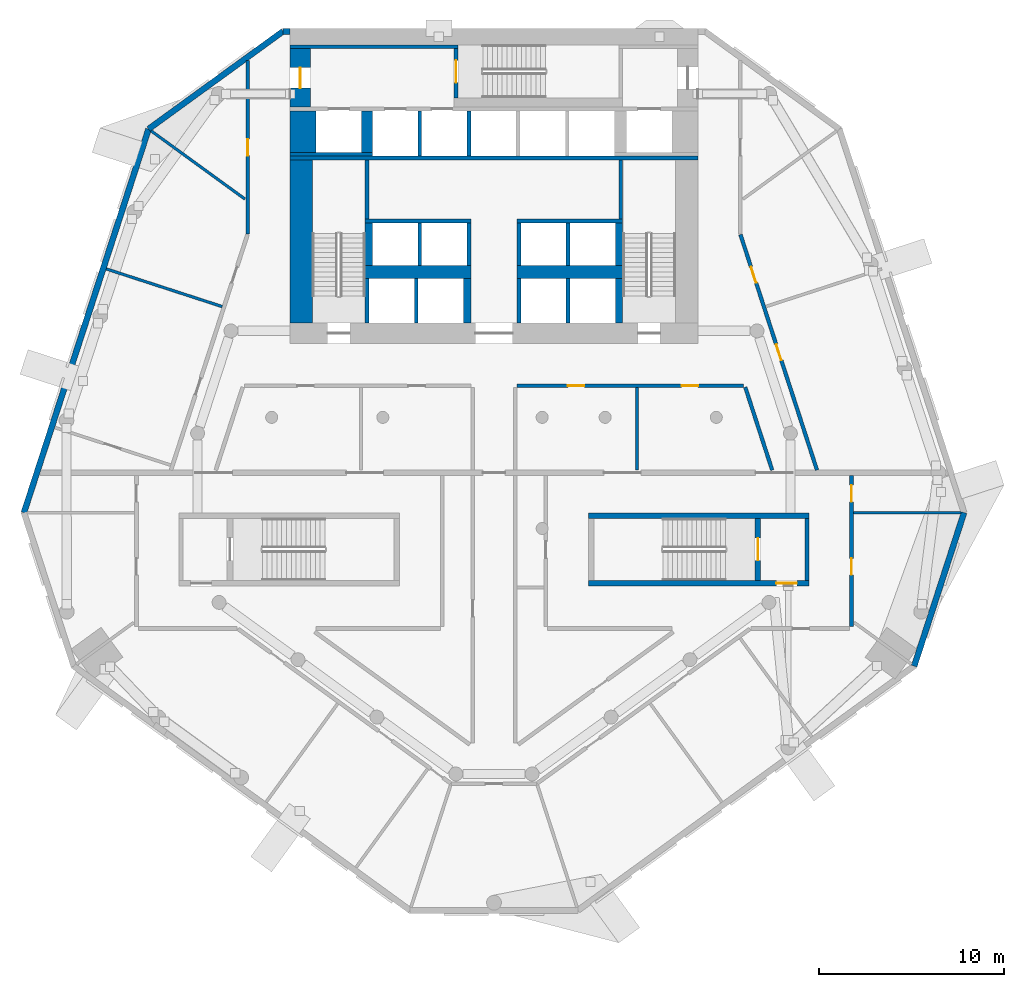
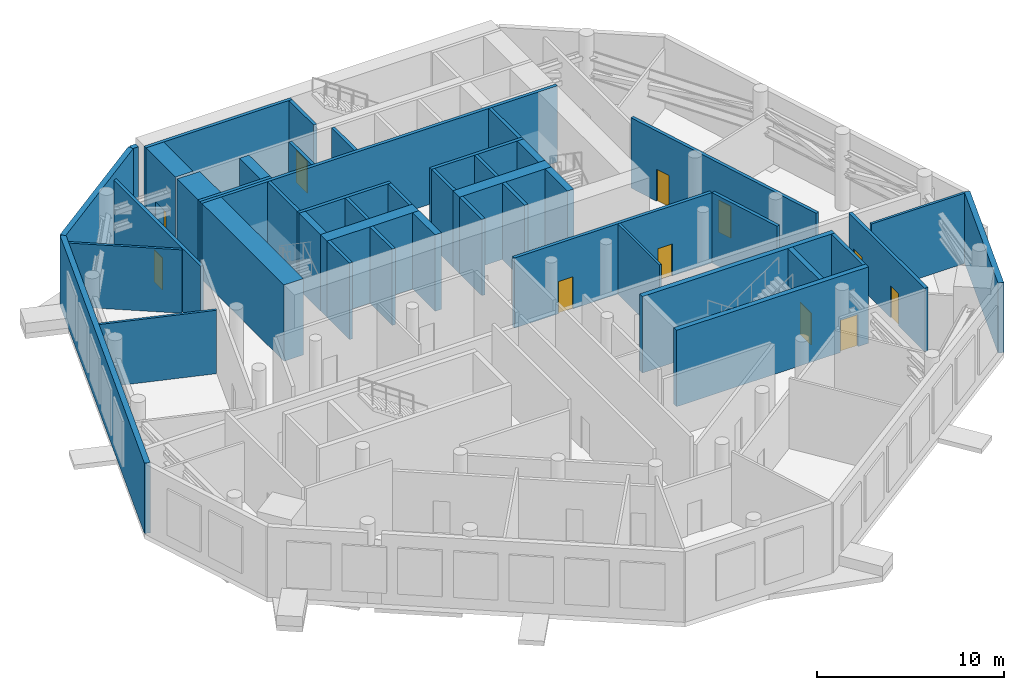
# One storey, part 8 of 15: 45 walls, 11 doors, 11 openings.
"""IFC4 building model written with IfcOpenShell, lengths in metres."""

from ifc_helpers import new_model, si_unit, direction, frame, frame_2d, origin, place, context, subcontext, project, spatial, rectangle, extrude, material, layer, layer_set, type_object, element, fill, save


model = new_model("IFC4")

# Units and contexts
model_context = context("Model", 3, precision=1e-05, world=origin(), true_north=direction((0.0, 1.0)))
body_context = subcontext(model_context, "Body", "Model", "MODEL_VIEW")
ifc_project = project(units=[si_unit("LENGTHUNIT", "METRE"), si_unit("AREAUNIT", "SQUARE_METRE"), si_unit("VOLUMEUNIT", "CUBIC_METRE"), si_unit("PLANEANGLEUNIT", "RADIAN"), si_unit("MASSUNIT", "GRAM", prefix="KILO")], contexts=[model_context])

# Site, building, storey
site_placement = place(None, origin())
site = spatial("IfcSite", under=ifc_project, at=site_placement, CompositionType="ELEMENT")
building_placement = place(site_placement, origin())
building = spatial("IfcBuilding", under=site, at=building_placement, Name="White Candle Pilgrim Tower", CompositionType="ELEMENT")
storey_placement = place(building_placement, frame((0.0, 0.0, 137.60009765625)))
storey = spatial("IfcBuildingStorey", under=building, at=storey_placement, Name="L31", CompositionType="ELEMENT", Elevation=137.60009765625)

# Wall, opening, door
ifc_material_1 = material(Name="Concrete C60/75", Category="concrete")
ifc_layer_1 = layer(ifc_material_1, 1.10009765625)
ifc_layer_set_1 = layer_set([ifc_layer_1], Name="Core wall 1100 mm Concrete C60/75")
wall_type_1 = type_object("IfcWallType", Name="Core wall 1100 mm Concrete C60/75", PredefinedType="SHEAR", material=ifc_layer_set_1)
wall_1_placement = place(storey_placement, frame((59.550048828125, 83.75, 0.0), z_axis=(0.0, 0.0, 1.0), x_axis=(0.0, 1.0, 0.0)))
wall_1 = element("IfcWall", 1, at=wall_1_placement, inside=storey, type_object=wall_type_1, Name="WL-L31-C44", PredefinedType="SHEAR", context=body_context, shape_type="SweptSolid", body=[
    extrude(rectangle(XDim=3.14990234375, YDim=1.10009765625, at=frame_2d((1.574951171875, 0.0))), origin(), (0.0, 0.0, 1.0), 5.0),
])
opening_1_placement = place(wall_1_placement, frame((1.02490234375, 0.0, 0.0)))
opening_1 = element("IfcOpeningElement", 2, at=opening_1_placement, cuts=wall_1, Name="Opening L31-005", PredefinedType="OPENING", context=body_context, shape_type="SweptSolid", body=[
    extrude(rectangle(XDim=1.10009765625, YDim=2.10009765625, at=frame_2d((0.550048828125, 1.050048828125))), frame((0.0, 0.56005859375, 0.0), z_axis=(0.0, -1.0, 0.0), x_axis=(1.0, 0.0, 0.0)), (0.0, 0.0, 1.0), 1.1201171875),
])
ifc_material_2 = material(Name="Steel door leaf", Category="steel")
door_type_1 = type_object("IfcDoorType", Name="Fire door 1100 x 2100 EI 60", OperationType="NOTDEFINED", PredefinedType="DOOR", material=ifc_material_2)
door_1_placement = place(opening_1_placement, origin())
door_1 = element("IfcDoor", 3, at=door_1_placement, inside=storey, type_object=door_type_1, Name="Door L31-005", OperationType="SINGLE_SWING_LEFT", OverallHeight=2.10009765625, OverallWidth=1.10009765625, PredefinedType="DOOR", context=body_context, shape_type="SweptSolid", body=[
    extrude(rectangle(XDim=1.10009765625, YDim=2.10009765625, at=frame_2d((0.550048828125, 1.050048828125))), frame((0.0, 0.02490234375, 0.0), z_axis=(0.0, -1.0, 0.0), x_axis=(1.0, 0.0, 0.0)), (0.0, 0.0, 1.0), 0.050048828125),
])
fill(opening_1, door_1)

# Walls
ifc_layer_2 = layer(ifc_material_1, 1.39990234375)
ifc_layer_set_2 = layer_set([ifc_layer_2], Name="Core wall 1400 mm Concrete C60/75")
wall_type_2 = type_object("IfcWallType", Name="Core wall 1400 mm Concrete C60/75", PredefinedType="SHEAR", material=ifc_layer_set_2)
wall_2_placement = place(storey_placement, frame((59.699951171875, 81.300048828125, 0.0), z_axis=(0.0, 0.0, 1.0), x_axis=(0.0, 1.0, 0.0)))
element("IfcWall", 4, at=wall_2_placement, inside=storey, type_object=wall_type_2, Name="WL-L31-C39", PredefinedType="SHEAR", context=body_context, shape_type="SweptSolid", body=[
    extrude(rectangle(XDim=2.25, YDim=1.39990234375, at=frame_2d((1.125, 0.0))), origin(), (0.0, 0.0, 1.0), 5.0),
])
ifc_layer_3 = layer(ifc_material_1, 0.199951171875)
ifc_layer_set_3 = layer_set([ifc_layer_3], Name="Core wall 200 mm Concrete C60/75")
wall_type_3 = type_object("IfcWallType", Name="Core wall 200 mm Concrete C60/75", PredefinedType="SHEAR", material=ifc_layer_set_3)
wall_3_placement = place(storey_placement, frame((86.89990234375, 58.199951171875, 0.0), z_axis=(0.0, 0.0, 1.0), x_axis=(0.0, 1.0, 0.0)))
element("IfcWall", 5, at=wall_3_placement, inside=storey, type_object=wall_type_3, Name="WL-L31-C08", PredefinedType="SHEAR", context=body_context, shape_type="SweptSolid", body=[
    extrude(rectangle(XDim=3.35009765625, YDim=0.199951171875, at=frame_2d((1.675048828125, 0.0))), origin(), (0.0, 0.0, 1.0), 5.0),
])
wall_4_placement = place(storey_placement, frame((59.0, 81.199951171875, 0.0), z_axis=(0.0, 0.0, 1.0), x_axis=(1.0, 0.0, 0.0)))
element("IfcWall", 6, at=wall_4_placement, inside=storey, type_object=wall_type_3, Name="WL-L31-C33", PredefinedType="SHEAR", context=body_context, shape_type="SweptSolid", body=[
    extrude(rectangle(XDim=4.449951171875, YDim=0.199951171875, at=frame_2d((2.22509765625, 0.0))), origin(), (0.0, 0.0, 1.0), 5.0),
])

# Wall, opening, door
ifc_material_3 = material(Name="Gypsum board on steel studs", Category="steel")
ifc_layer_4 = layer(ifc_material_3, 0.199951171875)
ifc_layer_set_4 = layer_set([ifc_layer_4], Name="Corridor wall 200 mm EI 45")
wall_type_4 = type_object("IfcWallType", Name="Corridor wall 200 mm EI 45", PredefinedType="PARTITIONING", material=ifc_layer_set_4)
wall_5_placement = place(storey_placement, frame((56.699951171875, 76.8994140625, 0.0), z_axis=(0.0, 0.0, 1.0), x_axis=(0.0, 1.0, 0.0)))
wall_5 = element("IfcWall", 7, at=wall_5_placement, inside=storey, type_object=wall_type_4, Name="WL-L31-P003", PredefinedType="PARTITIONING", context=body_context, shape_type="SweptSolid", body=[
    extrude(rectangle(XDim=9.3515625, YDim=0.199951171875, at=frame_2d((4.67578125, 0.0))), origin(), (0.0, 0.0, 1.0), 4.14990234375),
])
opening_2_placement = place(wall_5_placement, frame((4.225830078125, 0.0, 0.0)))
opening_2 = element("IfcOpeningElement", 8, at=opening_2_placement, cuts=wall_5, Name="Opening L31-123", PredefinedType="OPENING", context=body_context, shape_type="SweptSolid", body=[
    extrude(rectangle(XDim=0.89990234375, YDim=2.10009765625, at=frame_2d((0.449951171875, 1.050048828125))), frame((0.0, 0.10986328125, 0.0), z_axis=(0.0, -1.0, 0.0), x_axis=(1.0, 0.0, 0.0)), (0.0, 0.0, 1.0), 0.219970703125),
])
door_type_2 = type_object("IfcDoorType", Name="Fire door 900 x 2100 EI 30", OperationType="NOTDEFINED", PredefinedType="DOOR", material=ifc_material_2)
door_2_placement = place(opening_2_placement, origin())
door_2 = element("IfcDoor", 9, at=door_2_placement, inside=storey, type_object=door_type_2, Name="Door L31-123", OperationType="SINGLE_SWING_LEFT", OverallHeight=2.10009765625, OverallWidth=0.89990234375, PredefinedType="DOOR", context=body_context, shape_type="SweptSolid", body=[
    extrude(rectangle(XDim=0.89990234375, YDim=2.10009765625, at=frame_2d((0.449951171875, 1.050048828125))), frame((0.0, 0.02490234375, 0.0), z_axis=(0.0, -1.0, 0.0), x_axis=(1.0, 0.0, 0.0)), (0.0, 0.0, 1.0), 0.050048828125),
])
fill(opening_2, door_2)

# Wall, openings, doors
wall_6_placement = place(storey_placement, frame((83.304931640625, 76.868408203125, 0.0), z_axis=(0.0, 0.0, 1.0), x_axis=(0.309005574406, -0.951060226792, 0.0)))
wall_6 = element("IfcWall", 10, at=wall_6_placement, inside=storey, type_object=wall_type_4, Name="WL-L31-P005", PredefinedType="PARTITIONING", context=body_context, shape_type="SweptSolid", body=[
    extrude(rectangle(XDim=13.373046875, YDim=0.199951171875, at=frame_2d((6.6865234375, 0.0))), origin(), (0.0, 0.0, 1.0), 4.599853515625),
])
opening_3_placement = place(wall_6_placement, frame((1.8408203125, 0.0, 0.0)))
opening_3 = element("IfcOpeningElement", 11, at=opening_3_placement, cuts=wall_6, Name="Opening L31-125", PredefinedType="OPENING", context=body_context, shape_type="SweptSolid", body=[
    extrude(rectangle(XDim=0.89990234375, YDim=2.10009765625, at=frame_2d((0.449951171875, 1.050048828125))), frame((0.0, 0.10986328125, 0.0), z_axis=(0.0, -1.0, 0.0), x_axis=(1.0, 0.0, 0.0)), (0.0, 0.0, 1.0), 0.219970703125),
])
opening_4_placement = place(wall_6_placement, frame((6.236328125, 0.0, 0.0)))
opening_4 = element("IfcOpeningElement", 12, at=opening_4_placement, cuts=wall_6, Name="Opening L31-126", PredefinedType="OPENING", context=body_context, shape_type="SweptSolid", body=[
    extrude(rectangle(XDim=0.89990234375, YDim=2.10009765625, at=frame_2d((0.449951171875, 1.050048828125))), frame((0.0, 0.10986328125, 0.0), z_axis=(0.0, -1.0, 0.0), x_axis=(1.0, 0.0, 0.0)), (0.0, 0.0, 1.0), 0.219970703125),
])
door_3_placement = place(opening_3_placement, origin())
door_3 = element("IfcDoor", 13, at=door_3_placement, inside=storey, type_object=door_type_2, Name="Door L31-125", OperationType="SINGLE_SWING_LEFT", OverallHeight=2.10009765625, OverallWidth=0.89990234375, PredefinedType="DOOR", context=body_context, shape_type="SweptSolid", body=[
    extrude(rectangle(XDim=0.89990234375, YDim=2.10009765625, at=frame_2d((0.449951171875, 1.050048828125))), frame((0.0, 0.02490234375, 0.0), z_axis=(0.0, -1.0, 0.0), x_axis=(1.0, 0.0, 0.0)), (0.0, 0.0, 1.0), 0.050048828125),
])
fill(opening_3, door_3)
door_4_placement = place(opening_4_placement, origin())
door_4 = element("IfcDoor", 14, at=door_4_placement, inside=storey, type_object=door_type_2, Name="Door L31-126", OperationType="SINGLE_SWING_RIGHT", OverallHeight=2.10009765625, OverallWidth=0.89990234375, PredefinedType="DOOR", context=body_context, shape_type="SweptSolid", body=[
    extrude(rectangle(XDim=0.89990234375, YDim=2.10009765625, at=frame_2d((0.449951171875, 1.050048828125))), frame((0.0, 0.02490234375, 0.0), z_axis=(0.0, -1.0, 0.0), x_axis=(1.0, 0.0, 0.0)), (0.0, 0.0, 1.0), 0.050048828125),
])
fill(opening_4, door_4)

wall_7_placement = place(storey_placement, frame((89.300048828125, 63.85009765625, 0.0), z_axis=(0.0, 0.0, 1.0), x_axis=(0.0, -1.0, 0.0)))
wall_7 = element("IfcWall", 15, at=wall_7_placement, inside=storey, type_object=wall_type_4, Name="WL-L31-P006", PredefinedType="PARTITIONING", context=body_context, shape_type="SweptSolid", body=[
    extrude(rectangle(XDim=8.150146484375, YDim=0.199951171875, at=frame_2d((4.0751953125, 0.0))), origin(), (0.0, 0.0, 1.0), 4.14990234375),
])
opening_5_placement = place(wall_7_placement, frame((4.45703125, 0.0, 0.0)))
opening_5 = element("IfcOpeningElement", 16, at=opening_5_placement, cuts=wall_7, Name="Opening L31-109", PredefinedType="OPENING", context=body_context, shape_type="SweptSolid", body=[
    extrude(rectangle(XDim=0.89990234375, YDim=2.10009765625, at=frame_2d((0.449951171875, 1.050048828125))), frame((0.0, 0.10986328125, 0.0), z_axis=(0.0, -1.0, 0.0), x_axis=(1.0, 0.0, 0.0)), (0.0, 0.0, 1.0), 0.219970703125),
])
opening_6_placement = place(wall_7_placement, frame((0.509765625, 0.0, 0.0)))
opening_6 = element("IfcOpeningElement", 17, at=opening_6_placement, cuts=wall_7, Name="Opening L31-127", PredefinedType="OPENING", context=body_context, shape_type="SweptSolid", body=[
    extrude(rectangle(XDim=0.89990234375, YDim=2.10009765625, at=frame_2d((0.449951171875, 1.050048828125))), frame((0.0, 0.10986328125, 0.0), z_axis=(0.0, -1.0, 0.0), x_axis=(1.0, 0.0, 0.0)), (0.0, 0.0, 1.0), 0.219970703125),
])
door_5_placement = place(opening_5_placement, origin())
door_5 = element("IfcDoor", 18, at=door_5_placement, inside=storey, type_object=door_type_2, Name="Door L31-109", OperationType="SINGLE_SWING_LEFT", OverallHeight=2.10009765625, OverallWidth=0.89990234375, PredefinedType="DOOR", context=body_context, shape_type="SweptSolid", body=[
    extrude(rectangle(XDim=0.89990234375, YDim=2.10009765625, at=frame_2d((0.449951171875, 1.050048828125))), frame((0.0, 0.02490234375, 0.0), z_axis=(0.0, -1.0, 0.0), x_axis=(1.0, 0.0, 0.0)), (0.0, 0.0, 1.0), 0.050048828125),
])
fill(opening_5, door_5)
door_6_placement = place(opening_6_placement, origin())
door_6 = element("IfcDoor", 19, at=door_6_placement, inside=storey, type_object=door_type_2, Name="Door L31-127", OperationType="SINGLE_SWING_LEFT", OverallHeight=2.10009765625, OverallWidth=0.89990234375, PredefinedType="DOOR", context=body_context, shape_type="SweptSolid", body=[
    extrude(rectangle(XDim=0.89990234375, YDim=2.10009765625, at=frame_2d((0.449951171875, 1.050048828125))), frame((0.0, 0.02490234375, 0.0), z_axis=(0.0, -1.0, 0.0), x_axis=(1.0, 0.0, 0.0)), (0.0, 0.0, 1.0), 0.050048828125),
])
fill(opening_6, door_6)

# Wall
wall_8_placement = place(storey_placement, frame((85.01904296875, 64.14990234375, 0.0), z_axis=(0.0, 0.0, 1.0), x_axis=(-0.309036861841, 0.951050060735, 0.0)))
element("IfcWall", 20, at=wall_8_placement, inside=storey, type_object=wall_type_4, Name="WL-L31-P013", PredefinedType="PARTITIONING", context=body_context, shape_type="SweptSolid", body=[
    extrude(rectangle(XDim=4.711669921875, YDim=0.199951171875, at=frame_2d((2.35595703125, 0.0))), origin(), (0.0, 0.0, 1.0), 4.599853515625),
])

# Wall, openings, doors
wall_9_placement = place(storey_placement, frame((83.468017578125, 68.699951171875, 0.0), z_axis=(0.0, 0.0, 1.0), x_axis=(-1.0, 0.0, 0.0)))
wall_9 = element("IfcWall", 21, at=wall_9_placement, inside=storey, type_object=wall_type_4, Name="WL-L31-P014", PredefinedType="PARTITIONING", context=body_context, shape_type="SweptSolid", body=[
    extrude(rectangle(XDim=12.218017578125, YDim=0.199951171875, at=frame_2d((6.10888671875, 0.0))), origin(), (0.0, 0.0, 1.0), 4.599853515625),
])
opening_7_placement = place(wall_9_placement, frame((8.583984375, 0.0, 0.0)))
opening_7 = element("IfcOpeningElement", 22, at=opening_7_placement, cuts=wall_9, Name="Opening L31-119", PredefinedType="OPENING", context=body_context, shape_type="SweptSolid", body=[
    extrude(rectangle(XDim=0.89990234375, YDim=2.10009765625, at=frame_2d((0.449951171875, 1.050048828125))), frame((0.0, 0.10986328125, 0.0), z_axis=(0.0, -1.0, 0.0), x_axis=(1.0, 0.0, 0.0)), (0.0, 0.0, 1.0), 0.219970703125),
])
opening_8_placement = place(wall_9_placement, frame((2.444091796875, 0.0, 0.0)))
opening_8 = element("IfcOpeningElement", 23, at=opening_8_placement, cuts=wall_9, Name="Opening L31-128", PredefinedType="OPENING", context=body_context, shape_type="SweptSolid", body=[
    extrude(rectangle(XDim=0.89990234375, YDim=2.10009765625, at=frame_2d((0.449951171875, 1.050048828125))), frame((0.0, 0.10986328125, 0.0), z_axis=(0.0, -1.0, 0.0), x_axis=(1.0, 0.0, 0.0)), (0.0, 0.0, 1.0), 0.219970703125),
])
door_7_placement = place(opening_7_placement, origin())
door_7 = element("IfcDoor", 24, at=door_7_placement, inside=storey, type_object=door_type_2, Name="Door L31-119", OperationType="SINGLE_SWING_LEFT", OverallHeight=2.10009765625, OverallWidth=0.89990234375, PredefinedType="DOOR", context=body_context, shape_type="SweptSolid", body=[
    extrude(rectangle(XDim=0.89990234375, YDim=2.10009765625, at=frame_2d((0.449951171875, 1.050048828125))), frame((0.0, 0.02490234375, 0.0), z_axis=(0.0, -1.0, 0.0), x_axis=(1.0, 0.0, 0.0)), (0.0, 0.0, 1.0), 0.050048828125),
])
fill(opening_7, door_7)
door_8_placement = place(opening_8_placement, origin())
door_8 = element("IfcDoor", 25, at=door_8_placement, inside=storey, type_object=door_type_2, Name="Door L31-128", OperationType="SINGLE_SWING_RIGHT", OverallHeight=2.10009765625, OverallWidth=0.89990234375, PredefinedType="DOOR", context=body_context, shape_type="SweptSolid", body=[
    extrude(rectangle(XDim=0.89990234375, YDim=2.10009765625, at=frame_2d((0.449951171875, 1.050048828125))), frame((0.0, 0.02490234375, 0.0), z_axis=(0.0, -1.0, 0.0), x_axis=(1.0, 0.0, 0.0)), (0.0, 0.0, 1.0), 0.050048828125),
])
fill(opening_8, door_8)

# Walls
ifc_material_4 = material(Name="Precast concrete C40/50", Category="concrete")
ifc_layer_5 = layer(ifc_material_4, 0.320068359375)
ifc_layer_set_5 = layer_set([ifc_layer_5], Name="Facade wall EW2 precast concrete C40/50 plant wall behind louvres")
wall_type_5 = type_object("IfcWallType", Name="Facade wall EW2 precast concrete C40/50 plant wall behind louvres", PredefinedType="SOLIDWALL", material=ifc_layer_set_5)
wall_10_placement = place(storey_placement, frame((92.68359375, 53.572021484375, 0.0), z_axis=(0.0, 0.0, 1.0), x_axis=(0.309020152218, 0.951055490244, 0.0)))
element("IfcWall", 26, at=wall_10_placement, inside=storey, type_object=wall_type_5, Name="Facade wall L31 E chamfer", PredefinedType="SOLIDWALL", context=body_context, shape_type="SweptSolid", body=[
    extrude(rectangle(XDim=8.70947265625, YDim=0.320068359375, at=frame_2d((4.354736328125, 0.0))), origin(), (0.0, 0.0, 1.0), 4.599853515625),
])
wall_11_placement = place(storey_placement, frame((59.0, 87.840087890625, 0.0), z_axis=(0.0, 0.0, 1.0), x_axis=(-1.0, 0.0, 0.0)))
element("IfcWall", 27, at=wall_11_placement, inside=storey, type_object=wall_type_5, Name="Facade wall L31 N", PredefinedType="SOLIDWALL", context=body_context, shape_type="SweptSolid", body=[
    extrude(rectangle(XDim=0.385009765625, YDim=0.320068359375, at=frame_2d((0.1923828125, 0.0))), origin(), (0.0, 0.0, 1.0), 4.599853515625),
])
wall_12_placement = place(storey_placement, frame((58.614990234375, 87.840087890625, 0.0), z_axis=(0.0, 0.0, 1.0), x_axis=(-0.809005369707, -0.587801251942, 0.0)))
element("IfcWall", 28, at=wall_12_placement, inside=storey, type_object=wall_type_5, Name="Facade wall L31 NW chamfer", PredefinedType="SOLIDWALL", context=body_context, shape_type="SweptSolid", body=[
    extrude(rectangle(XDim=8.97509765625, YDim=0.320068359375, at=frame_2d((4.487548828125, 0.0))), origin(), (0.0, 0.0, 1.0), 4.599853515625),
])
wall_13_placement = place(storey_placement, frame((51.35400390625, 82.564453125, 0.0), z_axis=(0.0, 0.0, 1.0), x_axis=(-0.309023959084, -0.951054253296, 0.0)))
element("IfcWall", 29, at=wall_13_placement, inside=storey, type_object=wall_type_5, Name="Facade wall L31 WNW", PredefinedType="SOLIDWALL", context=body_context, shape_type="SweptSolid", body=[
    extrude(rectangle(XDim=21.77490234375, YDim=0.320068359375, at=frame_2d((10.887451171875, 0.0))), origin(), (0.0, 0.0, 1.0), 4.599853515625),
])
ifc_layer_6 = layer(ifc_material_3, 0.14990234375)
ifc_layer_set_6 = layer_set([ifc_layer_6], Name="Partition 150 mm EI 60")
wall_type_6 = type_object("IfcWallType", Name="Partition 150 mm EI 60", PredefinedType="PARTITIONING", material=ifc_layer_set_6)
wall_14_placement = place(storey_placement, frame((51.489990234375, 82.465576171875, 0.0), z_axis=(0.0, 0.0, 1.0), x_axis=(0.809012497549, -0.587791441593, 0.0)))
element("IfcWall", 30, at=wall_14_placement, inside=storey, type_object=wall_type_6, Name="WL-L31-P027", PredefinedType="PARTITIONING", context=body_context, shape_type="SweptSolid", body=[
    extrude(rectangle(XDim=6.261962890625, YDim=0.14990234375, at=frame_2d((3.130859375, 0.0))), origin(), (0.0, 0.0, 1.0), 4.14990234375),
])
wall_15_placement = place(storey_placement, frame((95.206787109375, 61.855224609375, 0.0), z_axis=(0.0, 0.0, 1.0), x_axis=(-1.0, 0.0, 0.0)))
element("IfcWall", 31, at=wall_15_placement, inside=storey, type_object=wall_type_6, Name="WL-L31-P033", PredefinedType="PARTITIONING", context=body_context, shape_type="SweptSolid", body=[
    extrude(rectangle(XDim=5.806884765625, YDim=0.14990234375, at=frame_2d((2.9033203125, 0.0))), origin(), (0.0, 0.0, 1.0), 4.599853515625),
])
wall_16_placement = place(storey_placement, frame((49.068603515625, 75.013671875, 0.0), z_axis=(0.0, 0.0, 1.0), x_axis=(0.95105288048, -0.309028184041, 0.0)))
element("IfcWall", 32, at=wall_16_placement, inside=storey, type_object=wall_type_6, Name="WL-L31-P035", PredefinedType="PARTITIONING", context=body_context, shape_type="SweptSolid", body=[
    extrude(rectangle(XDim=6.580078125, YDim=0.14990234375, at=frame_2d((3.2900390625, 0.0))), origin(), (0.0, 0.0, 1.0), 4.14990234375),
])
wall_17_placement = place(storey_placement, frame((77.718017578125, 64.14990234375, 0.0), z_axis=(0.0, 0.0, 1.0), x_axis=(0.0, 1.0, 0.0)))
element("IfcWall", 33, at=wall_17_placement, inside=storey, type_object=wall_type_6, Name="WL-L31-P044", PredefinedType="PARTITIONING", context=body_context, shape_type="SweptSolid", body=[
    extrude(rectangle(XDim=4.4501953125, YDim=0.14990234375, at=frame_2d((2.22509765625, 0.0))), origin(), (0.0, 0.0, 1.0), 4.599853515625),
])
ifc_layer_7 = layer(ifc_material_1, 0.199951171875)
ifc_layer_set_7 = layer_set([ifc_layer_7], Name="Shaft wall 200 mm Concrete C60/75")
wall_type_7 = type_object("IfcWallType", Name="Shaft wall 200 mm Concrete C60/75", PredefinedType="SHEAR", material=ifc_layer_set_7)
for number, where, z_axis, x_axis, name in (
    (34, (65.800048828125, 72.10009765625, 0.0), (0.0, 0.0, 1.0), (0.0, 1.0, 0.0), "WL-L31-C14"),
    (35, (71.35009765625, 72.10009765625, 0.0), (0.0, 0.0, 1.0), (0.0, 1.0, 0.0), "WL-L31-C16"),
    (36, (74.0, 72.10009765625, 0.0), (0.0, 0.0, 1.0), (0.0, 1.0, 0.0), "WL-L31-C17"),
):
    element("IfcWall", number, at=place(storey_placement, frame(where, z_axis=z_axis, x_axis=x_axis)), inside=storey, type_object=wall_type_7, Name=name, PredefinedType="SHEAR", context=body_context, shape_type="SweptSolid", body=[
        extrude(rectangle(XDim=2.39990234375, YDim=0.199951171875, at=frame_2d((1.199951171875, 0.0))), origin(), (0.0, 0.0, 1.0), 5.0),
    ])
for number, where, z_axis, x_axis, name in (
    (37, (66.0, 75.199951171875, 0.0), (0.0, 0.0, 1.0), (0.0, 1.0, 0.0), "WL-L31-C23"),
    (38, (68.64990234375, 75.199951171875, 0.0), (0.0, 0.0, 1.0), (0.0, 1.0, 0.0), "WL-L31-C24"),
    (39, (71.35009765625, 75.199951171875, 0.0), (0.0, 0.0, 1.0), (0.0, 1.0, 0.0), "WL-L31-C25"),
    (40, (74.0, 75.199951171875, 0.0), (0.0, 0.0, 1.0), (0.0, 1.0, 0.0), "WL-L31-C26"),
):
    element("IfcWall", number, at=place(storey_placement, frame(where, z_axis=z_axis, x_axis=x_axis)), inside=storey, type_object=wall_type_7, Name=name, PredefinedType="SHEAR", context=body_context, shape_type="SweptSolid", body=[
        extrude(rectangle(XDim=2.300048828125, YDim=0.199951171875, at=frame_2d((1.14990234375, 0.0))), origin(), (0.0, 0.0, 1.0), 5.0),
    ])
for number, where, z_axis, x_axis, name in (
    (41, (66.0, 81.10009765625, 0.0), (0.0, 0.0, 1.0), (0.0, 1.0, 0.0), "WL-L31-C34"),
    (42, (68.64990234375, 81.10009765625, 0.0), (0.0, 0.0, 1.0), (0.0, 1.0, 0.0), "WL-L31-C35"),
):
    element("IfcWall", number, at=place(storey_placement, frame(where, z_axis=z_axis, x_axis=x_axis)), inside=storey, type_object=wall_type_7, Name=name, PredefinedType="SHEAR", context=body_context, shape_type="SweptSolid", body=[
        extrude(rectangle(XDim=2.449951171875, YDim=0.199951171875, at=frame_2d((1.22509765625, 0.0))), origin(), (0.0, 0.0, 1.0), 5.0),
    ])
ifc_layer_8 = layer(ifc_material_1, 0.39990234375)
ifc_layer_set_8 = layer_set([ifc_layer_8], Name="Shaft wall 400 mm Concrete C60/75")
wall_type_8 = type_object("IfcWallType", Name="Shaft wall 400 mm Concrete C60/75", PredefinedType="SHEAR", material=ifc_layer_set_8)
wall_18_placement = place(storey_placement, frame((68.550048828125, 72.10009765625, 0.0), z_axis=(0.0, 0.0, 1.0), x_axis=(0.0, 1.0, 0.0)))
element("IfcWall", 43, at=wall_18_placement, inside=storey, type_object=wall_type_8, Name="WL-L31-C15", PredefinedType="SHEAR", context=body_context, shape_type="SweptSolid", body=[
    extrude(rectangle(XDim=2.39990234375, YDim=0.39990234375, at=frame_2d((1.199951171875, 0.0))), origin(), (0.0, 0.0, 1.0), 5.0),
])
ifc_layer_9 = layer(ifc_material_1, 0.60009765625)
ifc_layer_set_9 = layer_set([ifc_layer_9], Name="Shaft wall 600 mm Concrete C60/75")
wall_type_9 = type_object("IfcWallType", Name="Shaft wall 600 mm Concrete C60/75", PredefinedType="SHEAR", material=ifc_layer_set_9)
wall_19_placement = place(storey_placement, frame((63.14990234375, 81.300048828125, 0.0), z_axis=(0.0, 0.0, 1.0), x_axis=(0.0, 1.0, 0.0)))
element("IfcWall", 44, at=wall_19_placement, inside=storey, type_object=wall_type_9, Name="WL-L31-C40", PredefinedType="SHEAR", context=body_context, shape_type="SweptSolid", body=[
    extrude(rectangle(XDim=2.25, YDim=0.60009765625, at=frame_2d((1.125, 0.0))), origin(), (0.0, 0.0, 1.0), 5.0),
])
ifc_layer_10 = layer(ifc_material_1, 1.199951171875)
ifc_layer_set_10 = layer_set([ifc_layer_10], Name="Stair shaft wall 1200 mm Concrete C60/75")
wall_type_10 = type_object("IfcWallType", Name="Stair shaft wall 1200 mm Concrete C60/75", PredefinedType="SHEAR", material=ifc_layer_set_10)
wall_20_placement = place(storey_placement, frame((59.60009765625, 72.10009765625, 0.0), z_axis=(0.0, 0.0, 1.0), x_axis=(0.0, 1.0, 0.0)))
element("IfcWall", 45, at=wall_20_placement, inside=storey, type_object=wall_type_10, Name="WL-L31-C12", PredefinedType="SHEAR", context=body_context, shape_type="SweptSolid", body=[
    extrude(rectangle(XDim=8.7998046875, YDim=1.199951171875, at=frame_2d((4.39990234375, 0.0))), origin(), (0.0, 0.0, 1.0), 5.0),
])
ifc_layer_11 = layer(ifc_material_1, 0.199951171875)
ifc_layer_set_11 = layer_set([ifc_layer_11], Name="Stair shaft wall 200 mm Concrete C60/75")
wall_type_11 = type_object("IfcWallType", Name="Stair shaft wall 200 mm Concrete C60/75", PredefinedType="SHEAR", material=ifc_layer_set_11)
wall_21_placement = place(storey_placement, frame((63.14990234375, 72.10009765625, 0.0), z_axis=(0.0, 0.0, 1.0), x_axis=(0.0, 1.0, 0.0)))
element("IfcWall", 46, at=wall_21_placement, inside=storey, type_object=wall_type_11, Name="WL-L31-C13", PredefinedType="SHEAR", context=body_context, shape_type="SweptSolid", body=[
    extrude(rectangle(XDim=2.39990234375, YDim=0.199951171875, at=frame_2d((1.199951171875, 0.0))), origin(), (0.0, 0.0, 1.0), 5.0),
])
for number, where, z_axis, x_axis, name in (
    (47, (63.050048828125, 77.60009765625, 0.0), (0.0, 0.0, 1.0), (1.0, 0.0, 0.0), "WL-L31-C28"),
    (48, (71.25, 77.60009765625, 0.0), (0.0, 0.0, 1.0), (1.0, 0.0, 0.0), "WL-L31-C29"),
):
    element("IfcWall", number, at=place(storey_placement, frame(where, z_axis=z_axis, x_axis=x_axis)), inside=storey, type_object=wall_type_11, Name=name, PredefinedType="SHEAR", context=body_context, shape_type="SweptSolid", body=[
        extrude(rectangle(XDim=5.699951171875, YDim=0.199951171875, at=frame_2d((2.85009765625, 0.0))), origin(), (0.0, 0.0, 1.0), 5.0),
    ])
for number, where, z_axis, x_axis, name in (
    (49, (63.14990234375, 77.699951171875, 0.0), (0.0, 0.0, 1.0), (0.0, 1.0, 0.0), "WL-L31-C30"),
    (50, (76.85009765625, 77.699951171875, 0.0), (0.0, 0.0, 1.0), (0.0, 1.0, 0.0), "WL-L31-C31"),
):
    element("IfcWall", number, at=place(storey_placement, frame(where, z_axis=z_axis, x_axis=x_axis)), inside=storey, type_object=wall_type_11, Name=name, PredefinedType="SHEAR", context=body_context, shape_type="SweptSolid", body=[
        extrude(rectangle(XDim=3.199951171875, YDim=0.199951171875, at=frame_2d((1.60009765625, 0.0))), origin(), (0.0, 0.0, 1.0), 5.0),
    ])
wall_22_placement = place(storey_placement, frame((59.0, 81.0, 0.0), z_axis=(0.0, 0.0, 1.0), x_axis=(1.0, 0.0, 0.0)))
element("IfcWall", 51, at=wall_22_placement, inside=storey, type_object=wall_type_11, Name="WL-L31-C32", PredefinedType="SHEAR", context=body_context, shape_type="SweptSolid", body=[
    extrude(rectangle(XDim=22.0, YDim=0.199951171875, at=frame_2d((11.0, 0.0))), origin(), (0.0, 0.0, 1.0), 5.0),
])

# Wall, opening, door
wall_23_placement = place(storey_placement, frame((67.949951171875, 84.25, 0.0), z_axis=(0.0, 0.0, 1.0), x_axis=(0.0, 1.0, 0.0)))
wall_23 = element("IfcWall", 52, at=wall_23_placement, inside=storey, type_object=wall_type_11, Name="WL-L31-C47", PredefinedType="SHEAR", context=body_context, shape_type="SweptSolid", body=[
    extrude(rectangle(XDim=2.64990234375, YDim=0.199951171875, at=frame_2d((1.324951171875, 0.0))), origin(), (0.0, 0.0, 1.0), 5.0),
])
opening_9_placement = place(wall_23_placement, frame((0.824951171875, 0.0, 0.0)))
opening_9 = element("IfcOpeningElement", 53, at=opening_9_placement, cuts=wall_23, Name="Opening L31-003", PredefinedType="OPENING", context=body_context, shape_type="SweptSolid", body=[
    extrude(rectangle(XDim=1.199951171875, YDim=2.10009765625, at=frame_2d((0.60009765625, 1.050048828125))), frame((0.0, 0.10986328125, 0.0), z_axis=(0.0, -1.0, 0.0), x_axis=(1.0, 0.0, 0.0)), (0.0, 0.0, 1.0), 0.219970703125),
])
door_type_3 = type_object("IfcDoorType", Name="Fire door 1200 x 2100 EI 60", OperationType="NOTDEFINED", PredefinedType="DOOR", material=ifc_material_2)
door_9_placement = place(opening_9_placement, frame((1.199951171875, 0.0, 0.0), z_axis=(0.0, 0.0, 1.0), x_axis=(-1.0, 0.0, 0.0)))
door_9 = element("IfcDoor", 54, at=door_9_placement, inside=storey, type_object=door_type_3, Name="Door L31-003", OperationType="SINGLE_SWING_RIGHT", OverallHeight=2.10009765625, OverallWidth=1.199951171875, PredefinedType="DOOR", context=body_context, shape_type="SweptSolid", body=[
    extrude(rectangle(XDim=1.199951171875, YDim=2.10009765625, at=frame_2d((0.60009765625, 1.050048828125))), frame((0.0, 0.02490234375, 0.0), z_axis=(0.0, -1.0, 0.0), x_axis=(1.0, 0.0, 0.0)), (0.0, 0.0, 1.0), 0.050048828125),
])
fill(opening_9, door_9)

# Wall
wall_24_placement = place(storey_placement, frame((59.0, 87.0, 0.0), z_axis=(0.0, 0.0, 1.0), x_axis=(1.0, 0.0, 0.0)))
element("IfcWall", 55, at=wall_24_placement, inside=storey, type_object=wall_type_11, Name="WL-L31-C49", PredefinedType="SHEAR", context=body_context, shape_type="SweptSolid", body=[
    extrude(rectangle(XDim=9.050048828125, YDim=0.199951171875, at=frame_2d((4.52490234375, 0.0))), origin(), (0.0, 0.0, 1.0), 5.0),
])

# Wall, opening, door
ifc_layer_12 = layer(ifc_material_1, 0.300048828125)
ifc_layer_set_12 = layer_set([ifc_layer_12], Name="Stair shaft wall 300 mm Concrete C60/75")
wall_type_12 = type_object("IfcWallType", Name="Stair shaft wall 300 mm Concrete C60/75", PredefinedType="SHEAR", material=ifc_layer_set_12)
wall_25_placement = place(storey_placement, frame((75.10009765625, 58.050048828125, 0.0), z_axis=(0.0, 0.0, 1.0), x_axis=(1.0, 0.0, 0.0)))
wall_25 = element("IfcWall", 56, at=wall_25_placement, inside=storey, type_object=wall_type_12, Name="WL-L31-C02", PredefinedType="SHEAR", context=body_context, shape_type="SweptSolid", body=[
    extrude(rectangle(XDim=11.89990234375, YDim=0.300048828125, at=frame_2d((5.949951171875, 0.0))), origin(), (0.0, 0.0, 1.0), 5.0),
])
opening_10_placement = place(wall_25_placement, frame((10.14990234375, 0.0, 0.0)))
opening_10 = element("IfcOpeningElement", 57, at=opening_10_placement, cuts=wall_25, Name="Opening L31-009", PredefinedType="OPENING", context=body_context, shape_type="SweptSolid", body=[
    extrude(rectangle(XDim=1.10009765625, YDim=2.10009765625, at=frame_2d((0.550048828125, 1.050048828125))), frame((0.0, 0.159912109375, 0.0), z_axis=(0.0, -1.0, 0.0), x_axis=(1.0, 0.0, 0.0)), (0.0, 0.0, 1.0), 0.320068359375),
])
door_10_placement = place(opening_10_placement, origin())
door_10 = element("IfcDoor", 58, at=door_10_placement, inside=storey, type_object=door_type_1, Name="Door L31-009", OperationType="SINGLE_SWING_LEFT", OverallHeight=2.10009765625, OverallWidth=1.10009765625, PredefinedType="DOOR", context=body_context, shape_type="SweptSolid", body=[
    extrude(rectangle(XDim=1.10009765625, YDim=2.10009765625, at=frame_2d((0.550048828125, 1.050048828125))), frame((0.0, 0.02490234375, 0.0), z_axis=(0.0, -1.0, 0.0), x_axis=(1.0, 0.0, 0.0)), (0.0, 0.0, 1.0), 0.050048828125),
])
fill(opening_10, door_10)

wall_26_placement = place(storey_placement, frame((84.25, 58.199951171875, 0.0), z_axis=(0.0, 0.0, 1.0), x_axis=(0.0, 1.0, 0.0)))
wall_26 = element("IfcWall", 59, at=wall_26_placement, inside=storey, type_object=wall_type_12, Name="WL-L31-C07", PredefinedType="SHEAR", context=body_context, shape_type="SweptSolid", body=[
    extrude(rectangle(XDim=3.35009765625, YDim=0.300048828125, at=frame_2d((1.675048828125, 0.0))), origin(), (0.0, 0.0, 1.0), 5.0),
])
opening_11_placement = place(wall_26_placement, frame((1.074951171875, 0.0, 0.0)))
opening_11 = element("IfcOpeningElement", 60, at=opening_11_placement, cuts=wall_26, Name="Opening L31-010", PredefinedType="OPENING", context=body_context, shape_type="SweptSolid", body=[
    extrude(rectangle(XDim=1.199951171875, YDim=2.10009765625, at=frame_2d((0.60009765625, 1.050048828125))), frame((0.0, 0.159912109375, 0.0), z_axis=(0.0, -1.0, 0.0), x_axis=(1.0, 0.0, 0.0)), (0.0, 0.0, 1.0), 0.320068359375),
])
door_11_placement = place(opening_11_placement, origin())
door_11 = element("IfcDoor", 61, at=door_11_placement, inside=storey, type_object=door_type_3, Name="Door L31-010", OperationType="SINGLE_SWING_RIGHT", OverallHeight=2.10009765625, OverallWidth=1.199951171875, PredefinedType="DOOR", context=body_context, shape_type="SweptSolid", body=[
    extrude(rectangle(XDim=1.199951171875, YDim=2.10009765625, at=frame_2d((0.60009765625, 1.050048828125))), frame((0.0, 0.02490234375, 0.0), z_axis=(0.0, -1.0, 0.0), x_axis=(1.0, 0.0, 0.0)), (0.0, 0.0, 1.0), 0.050048828125),
])
fill(opening_11, door_11)

# Walls
wall_27_placement = place(storey_placement, frame((75.10009765625, 61.699951171875, 0.0), z_axis=(0.0, 0.0, 1.0), x_axis=(1.0, 0.0, 0.0)))
element("IfcWall", 62, at=wall_27_placement, inside=storey, type_object=wall_type_12, Name="WL-L31-C10", PredefinedType="SHEAR", context=body_context, shape_type="SweptSolid", body=[
    extrude(rectangle(XDim=11.89990234375, YDim=0.300048828125, at=frame_2d((5.949951171875, 0.0))), origin(), (0.0, 0.0, 1.0), 5.0),
])
ifc_layer_13 = layer(ifc_material_1, 0.39990234375)
ifc_layer_set_13 = layer_set([ifc_layer_13], Name="Stair shaft wall 400 mm Concrete C60/75")
wall_type_13 = type_object("IfcWallType", Name="Stair shaft wall 400 mm Concrete C60/75", PredefinedType="SHEAR", material=ifc_layer_set_13)
wall_28_placement = place(storey_placement, frame((76.75, 72.10009765625, 0.0), z_axis=(0.0, 0.0, 1.0), x_axis=(0.0, 1.0, 0.0)))
element("IfcWall", 63, at=wall_28_placement, inside=storey, type_object=wall_type_13, Name="WL-L31-C18", PredefinedType="SHEAR", context=body_context, shape_type="SweptSolid", body=[
    extrude(rectangle(XDim=2.39990234375, YDim=0.39990234375, at=frame_2d((1.199951171875, 0.0))), origin(), (0.0, 0.0, 1.0), 5.0),
])
for number, where, z_axis, x_axis, name in (
    (64, (63.25, 75.199951171875, 0.0), (0.0, 0.0, 1.0), (0.0, 1.0, 0.0), "WL-L31-C22"),
    (65, (76.75, 75.199951171875, 0.0), (0.0, 0.0, 1.0), (0.0, 1.0, 0.0), "WL-L31-C27"),
):
    element("IfcWall", number, at=place(storey_placement, frame(where, z_axis=z_axis, x_axis=x_axis)), inside=storey, type_object=wall_type_13, Name=name, PredefinedType="SHEAR", context=body_context, shape_type="SweptSolid", body=[
        extrude(rectangle(XDim=2.300048828125, YDim=0.39990234375, at=frame_2d((1.14990234375, 0.0))), origin(), (0.0, 0.0, 1.0), 5.0),
    ])
ifc_layer_14 = layer(ifc_material_1, 0.699951171875)
ifc_layer_set_14 = layer_set([ifc_layer_14], Name="Stair shaft wall 700 mm Concrete C60/75")
wall_type_14 = type_object("IfcWallType", Name="Stair shaft wall 700 mm Concrete C60/75", PredefinedType="SHEAR", material=ifc_layer_set_14)
for number, where, z_axis, x_axis, name in (
    (66, (63.050048828125, 74.85009765625, 0.0), (0.0, 0.0, 1.0), (1.0, 0.0, 0.0), "WL-L31-C20"),
    (67, (71.25, 74.85009765625, 0.0), (0.0, 0.0, 1.0), (1.0, 0.0, 0.0), "WL-L31-C21"),
):
    element("IfcWall", number, at=place(storey_placement, frame(where, z_axis=z_axis, x_axis=x_axis)), inside=storey, type_object=wall_type_14, Name=name, PredefinedType="SHEAR", context=body_context, shape_type="SweptSolid", body=[
        extrude(rectangle(XDim=5.699951171875, YDim=0.699951171875, at=frame_2d((2.85009765625, 0.0))), origin(), (0.0, 0.0, 1.0), 5.0),
    ])

save(model, "model.ifc")
